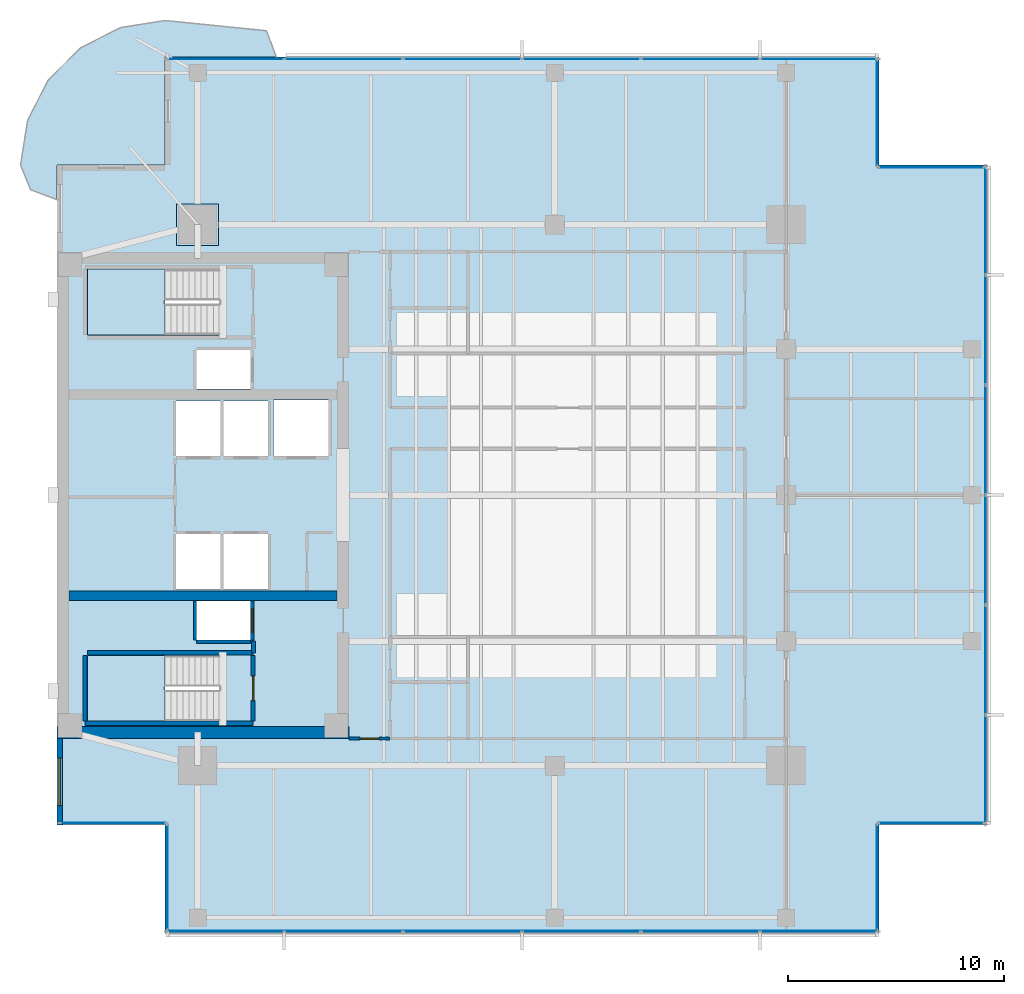
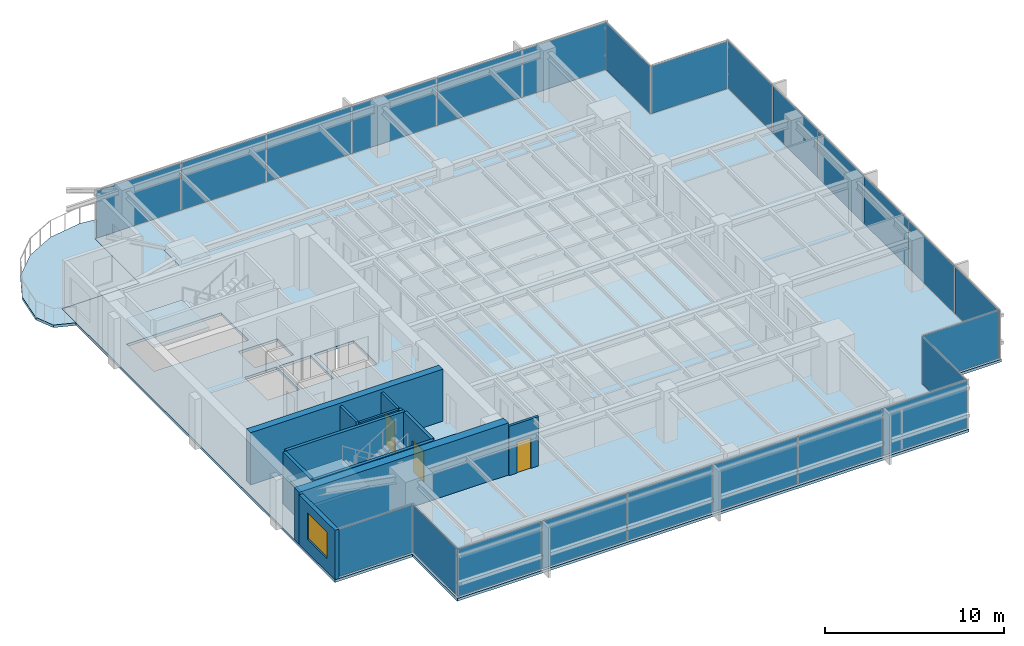
# One storey, part 7 of 14: 25 plates, 12 walls, 4 slabs, 3 doors, 1 window, 4 openings, 11 elements without a shape of their own.
"""IFC4 building model written with IfcOpenShell, lengths in metres."""

from ifc_helpers import new_model, si_unit, direction, frame, frame_2d, origin, origin_2d, place, context, subcontext, project, spatial, polyline, rectangle, outline, extrude, material, layer, layer_set, type_object, element, fill, aggregate, save


model = new_model("IFC4")

# Units and contexts
model_context = context("Model", 3, precision=1e-05, world=origin(), true_north=direction((0.0, 1.0)))
body_context = subcontext(model_context, "Body", "Model", "MODEL_VIEW")
ifc_project = project(units=[si_unit("LENGTHUNIT", "METRE"), si_unit("AREAUNIT", "SQUARE_METRE"), si_unit("VOLUMEUNIT", "CUBIC_METRE"), si_unit("PLANEANGLEUNIT", "RADIAN"), si_unit("MASSUNIT", "GRAM", prefix="KILO")], contexts=[model_context])

# Site, building, storey
site_placement = place(None, origin())
site = spatial("IfcSite", under=ifc_project, at=site_placement, CompositionType="ELEMENT")
building_placement = place(site_placement, origin())
building = spatial("IfcBuilding", under=site, at=building_placement, Name="Kinhvarn Gate Tower", CompositionType="ELEMENT")
storey_placement = place(building_placement, frame((0.0, 0.0, 209.35009765625)))
storey = spatial("IfcBuildingStorey", under=building, at=storey_placement, Name="L55", CompositionType="ELEMENT", Elevation=209.35009765625)

# Curtain wall, plates
ifc_material_1 = material(Name="Anodised aluminium AW-6063", Category="aluminium")
ifc_layer_1 = layer(ifc_material_1, 0.179931640625)
ifc_layer_set_1 = layer_set([ifc_layer_1], Name="Anodised aluminium AW-6063")
curtain_wall_type_1 = type_object("IfcCurtainWallType", Name="CW-SYS-3", PredefinedType="NOTDEFINED", material=ifc_layer_set_1)
curtain_wall_1_placement = place(storey_placement, origin())
curtain_wall_1 = element("IfcCurtainWall", 1, at=curtain_wall_1_placement, inside=storey, type_object=curtain_wall_type_1, Name="Curtain Wall CW3 (L55)", PredefinedType="NOTDEFINED")
ifc_material_2 = material(Name="Clear low-e double glazing", Category="glass")
ifc_layer_2 = layer(ifc_material_2, 0.031982421875)
ifc_layer_set_2 = layer_set([ifc_layer_2], Name="Clear low-e double glazing")
plate_type_1 = type_object("IfcPlateType", Name="CW-PNL-VIS", PredefinedType="CURTAIN_PANEL", material=ifc_layer_set_2)
plate_1_placement = place(storey_placement, frame((12.266357421875, 5.090087890625, 0.06982421875), z_axis=(0.0, 0.0, 1.0), x_axis=(1.0, 0.0, 0.0)))
plate_1 = element("IfcPlate", 2, at=plate_1_placement, type_object=plate_type_1, Name="CW3 panel 1.1", PredefinedType="CURTAIN_PANEL", context=body_context, shape_type="SweptSolid", body=[
    extrude(rectangle(XDim=5.402587890625, YDim=0.031982421875, at=origin_2d()), origin(), (0.0, 0.0, 1.0), 3.22998046875),
])
plate_2_placement = place(storey_placement, frame((17.75, 5.090087890625, 0.06982421875), z_axis=(0.0, 0.0, 1.0), x_axis=(1.0, 0.0, 0.0)))
plate_2 = element("IfcPlate", 3, at=plate_2_placement, type_object=plate_type_1, Name="CW3 panel 2.1", PredefinedType="CURTAIN_PANEL", context=body_context, shape_type="SweptSolid", body=[
    extrude(rectangle(XDim=5.43505859375, YDim=0.031982421875, at=origin_2d()), origin(), (0.0, 0.0, 1.0), 3.22998046875),
])
plate_3_placement = place(storey_placement, frame((23.25, 5.090087890625, 0.06982421875), z_axis=(0.0, 0.0, 1.0), x_axis=(1.0, 0.0, 0.0)))
plate_3 = element("IfcPlate", 4, at=plate_3_placement, type_object=plate_type_1, Name="CW3 panel 3.1", PredefinedType="CURTAIN_PANEL", context=body_context, shape_type="SweptSolid", body=[
    extrude(rectangle(XDim=5.43505859375, YDim=0.031982421875, at=origin_2d()), origin(), (0.0, 0.0, 1.0), 3.22998046875),
])
plate_4_placement = place(storey_placement, frame((28.75, 5.090087890625, 0.06982421875), z_axis=(0.0, 0.0, 1.0), x_axis=(1.0, 0.0, 0.0)))
plate_4 = element("IfcPlate", 5, at=plate_4_placement, type_object=plate_type_1, Name="CW3 panel 4.1", PredefinedType="CURTAIN_PANEL", context=body_context, shape_type="SweptSolid", body=[
    extrude(rectangle(XDim=5.43505859375, YDim=0.031982421875, at=origin_2d()), origin(), (0.0, 0.0, 1.0), 3.22998046875),
])
plate_5_placement = place(storey_placement, frame((34.25, 5.090087890625, 0.06982421875), z_axis=(0.0, 0.0, 1.0), x_axis=(1.0, 0.0, 0.0)))
plate_5 = element("IfcPlate", 6, at=plate_5_placement, type_object=plate_type_1, Name="CW3 panel 5.1", PredefinedType="CURTAIN_PANEL", context=body_context, shape_type="SweptSolid", body=[
    extrude(rectangle(XDim=5.43505859375, YDim=0.031982421875, at=origin_2d()), origin(), (0.0, 0.0, 1.0), 3.22998046875),
])
plate_6_placement = place(storey_placement, frame((39.733642578125, 5.090087890625, 0.06982421875), z_axis=(0.0, 0.0, 1.0), x_axis=(1.0, 0.0, 0.0)))
plate_6 = element("IfcPlate", 7, at=plate_6_placement, type_object=plate_type_1, Name="CW3 panel 6.1", PredefinedType="CURTAIN_PANEL", context=body_context, shape_type="SweptSolid", body=[
    extrude(rectangle(XDim=5.402587890625, YDim=0.031982421875, at=origin_2d()), origin(), (0.0, 0.0, 1.0), 3.22998046875),
])
aggregate(curtain_wall_1, [plate_1, plate_2, plate_3, plate_4, plate_5, plate_6])

curtain_wall_2_placement = place(storey_placement, origin())
curtain_wall_2 = element("IfcCurtainWall", 8, at=curtain_wall_2_placement, inside=storey, type_object=curtain_wall_type_1, Name="Curtain Wall CW3 (L55)", PredefinedType="NOTDEFINED")
plate_7_placement = place(storey_placement, frame((39.733642578125, 45.409912109375, 0.06982421875), z_axis=(0.0, 0.0, 1.0), x_axis=(-1.0, 0.0, 0.0)))
plate_7 = element("IfcPlate", 9, at=plate_7_placement, type_object=plate_type_1, Name="CW3 panel 1.1", PredefinedType="CURTAIN_PANEL", context=body_context, shape_type="SweptSolid", body=[
    extrude(rectangle(XDim=5.402587890625, YDim=0.031982421875, at=origin_2d()), origin(), (0.0, 0.0, 1.0), 3.22998046875),
])
plate_8_placement = place(storey_placement, frame((34.25, 45.409912109375, 0.06982421875), z_axis=(0.0, 0.0, 1.0), x_axis=(-1.0, 0.0, 0.0)))
plate_8 = element("IfcPlate", 10, at=plate_8_placement, type_object=plate_type_1, Name="CW3 panel 2.1", PredefinedType="CURTAIN_PANEL", context=body_context, shape_type="SweptSolid", body=[
    extrude(rectangle(XDim=5.43505859375, YDim=0.031982421875, at=origin_2d()), origin(), (0.0, 0.0, 1.0), 3.22998046875),
])
plate_9_placement = place(storey_placement, frame((28.75, 45.409912109375, 0.06982421875), z_axis=(0.0, 0.0, 1.0), x_axis=(-1.0, 0.0, 0.0)))
plate_9 = element("IfcPlate", 11, at=plate_9_placement, type_object=plate_type_1, Name="CW3 panel 3.1", PredefinedType="CURTAIN_PANEL", context=body_context, shape_type="SweptSolid", body=[
    extrude(rectangle(XDim=5.43505859375, YDim=0.031982421875, at=origin_2d()), origin(), (0.0, 0.0, 1.0), 3.22998046875),
])
plate_10_placement = place(storey_placement, frame((23.25, 45.409912109375, 0.06982421875), z_axis=(0.0, 0.0, 1.0), x_axis=(-1.0, 0.0, 0.0)))
plate_10 = element("IfcPlate", 12, at=plate_10_placement, type_object=plate_type_1, Name="CW3 panel 4.1", PredefinedType="CURTAIN_PANEL", context=body_context, shape_type="SweptSolid", body=[
    extrude(rectangle(XDim=5.43505859375, YDim=0.031982421875, at=origin_2d()), origin(), (0.0, 0.0, 1.0), 3.22998046875),
])
plate_11_placement = place(storey_placement, frame((17.75, 45.409912109375, 0.06982421875), z_axis=(0.0, 0.0, 1.0), x_axis=(-1.0, 0.0, 0.0)))
plate_11 = element("IfcPlate", 13, at=plate_11_placement, type_object=plate_type_1, Name="CW3 panel 5.1", PredefinedType="CURTAIN_PANEL", context=body_context, shape_type="SweptSolid", body=[
    extrude(rectangle(XDim=5.43505859375, YDim=0.031982421875, at=origin_2d()), origin(), (0.0, 0.0, 1.0), 3.22998046875),
])
plate_12_placement = place(storey_placement, frame((12.266357421875, 45.409912109375, 0.06982421875), z_axis=(0.0, 0.0, 1.0), x_axis=(-1.0, 0.0, 0.0)))
plate_12 = element("IfcPlate", 14, at=plate_12_placement, type_object=plate_type_1, Name="CW3 panel 6.1", PredefinedType="CURTAIN_PANEL", context=body_context, shape_type="SweptSolid", body=[
    extrude(rectangle(XDim=5.402587890625, YDim=0.031982421875, at=origin_2d()), origin(), (0.0, 0.0, 1.0), 3.22998046875),
])
aggregate(curtain_wall_2, [plate_7, plate_8, plate_9, plate_10, plate_11, plate_12])

curtain_wall_3_placement = place(storey_placement, origin())
curtain_wall_3 = element("IfcCurtainWall", 15, at=curtain_wall_3_placement, inside=storey, type_object=curtain_wall_type_1, Name="Curtain Wall CW3 (L55)", PredefinedType="NOTDEFINED")
plate_13_placement = place(storey_placement, frame((47.409912109375, 12.557861328125, 0.06982421875), z_axis=(0.0, 0.0, 1.0), x_axis=(0.0, 1.0, 0.0)))
plate_13 = element("IfcPlate", 16, at=plate_13_placement, type_object=plate_type_1, Name="CW3 panel 1.1", PredefinedType="CURTAIN_PANEL", context=body_context, shape_type="SweptSolid", body=[
    extrude(rectangle(XDim=4.98583984375, YDim=0.031982421875, at=origin_2d()), origin(), (0.0, 0.0, 1.0), 3.22998046875),
])
plate_14_placement = place(storey_placement, frame((47.409912109375, 17.625, 0.06982421875), z_axis=(0.0, 0.0, 1.0), x_axis=(0.0, 1.0, 0.0)))
plate_14 = element("IfcPlate", 17, at=plate_14_placement, type_object=plate_type_1, Name="CW3 panel 2.1", PredefinedType="CURTAIN_PANEL", context=body_context, shape_type="SweptSolid", body=[
    extrude(rectangle(XDim=5.018310546875, YDim=0.031982421875, at=origin_2d()), origin(), (0.0, 0.0, 1.0), 3.22998046875),
])
plate_15_placement = place(storey_placement, frame((47.409912109375, 22.708251953125, 0.06982421875), z_axis=(0.0, 0.0, 1.0), x_axis=(0.0, 1.0, 0.0)))
plate_15 = element("IfcPlate", 18, at=plate_15_placement, type_object=plate_type_1, Name="CW3 panel 3.1", PredefinedType="CURTAIN_PANEL", context=body_context, shape_type="SweptSolid", body=[
    extrude(rectangle(XDim=5.018310546875, YDim=0.031982421875, at=origin_2d()), origin(), (0.0, 0.0, 1.0), 3.22998046875),
])
plate_16_placement = place(storey_placement, frame((47.409912109375, 27.791748046875, 0.06982421875), z_axis=(0.0, 0.0, 1.0), x_axis=(0.0, 1.0, 0.0)))
plate_16 = element("IfcPlate", 19, at=plate_16_placement, type_object=plate_type_1, Name="CW3 panel 4.1", PredefinedType="CURTAIN_PANEL", context=body_context, shape_type="SweptSolid", body=[
    extrude(rectangle(XDim=5.018310546875, YDim=0.031982421875, at=origin_2d()), origin(), (0.0, 0.0, 1.0), 3.22998046875),
])
plate_17_placement = place(storey_placement, frame((47.409912109375, 32.875, 0.06982421875), z_axis=(0.0, 0.0, 1.0), x_axis=(0.0, 1.0, 0.0)))
plate_17 = element("IfcPlate", 20, at=plate_17_placement, type_object=plate_type_1, Name="CW3 panel 5.1", PredefinedType="CURTAIN_PANEL", context=body_context, shape_type="SweptSolid", body=[
    extrude(rectangle(XDim=5.018310546875, YDim=0.031982421875, at=origin_2d()), origin(), (0.0, 0.0, 1.0), 3.22998046875),
])
plate_18_placement = place(storey_placement, frame((47.409912109375, 37.942138671875, 0.06982421875), z_axis=(0.0, 0.0, 1.0), x_axis=(0.0, 1.0, 0.0)))
plate_18 = element("IfcPlate", 21, at=plate_18_placement, type_object=plate_type_1, Name="CW3 panel 6.1", PredefinedType="CURTAIN_PANEL", context=body_context, shape_type="SweptSolid", body=[
    extrude(rectangle(XDim=4.98583984375, YDim=0.031982421875, at=origin_2d()), origin(), (0.0, 0.0, 1.0), 3.22998046875),
])
aggregate(curtain_wall_3, [plate_13, plate_14, plate_15, plate_16, plate_17, plate_18])

# Curtain wall, plate
ifc_layer_3 = layer(ifc_material_1, 0.179931640625)
ifc_layer_set_3 = layer_set([ifc_layer_3], Name="Anodised aluminium AW-6063")
curtain_wall_type_2 = type_object("IfcCurtainWallType", Name="CW-SYS-4", PredefinedType="NOTDEFINED", material=ifc_layer_set_3)
curtain_wall_4_placement = place(storey_placement, origin())
curtain_wall_4 = element("IfcCurtainWall", 22, at=curtain_wall_4_placement, inside=storey, type_object=curtain_wall_type_2, Name="Curtain Wall CW4 (L55)", PredefinedType="NOTDEFINED")
plate_19_placement = place(storey_placement, frame((7.090087890625, 10.090087890625, 0.06494140625), z_axis=(0.0, 0.0, 1.0), x_axis=(1.0, 0.0, 0.0)))
plate_19 = element("IfcPlate", 23, at=plate_19_placement, type_object=plate_type_1, Name="CW4 panel 1.1", PredefinedType="CURTAIN_PANEL", context=body_context, shape_type="SweptSolid", body=[
    extrude(rectangle(XDim=4.8701171875, YDim=0.031982421875, at=origin_2d()), origin(), (0.0, 0.0, 1.0), 3.239990234375),
])
aggregate(curtain_wall_4, [plate_19])

curtain_wall_5_placement = place(storey_placement, origin())
curtain_wall_5 = element("IfcCurtainWall", 24, at=curtain_wall_5_placement, inside=storey, type_object=curtain_wall_type_2, Name="Curtain Wall CW4 (L55)", PredefinedType="NOTDEFINED")
plate_20_placement = place(storey_placement, frame((9.590087890625, 7.590087890625, 0.06494140625), z_axis=(0.0, 0.0, 1.0), x_axis=(0.0, -1.0, 0.0)))
plate_20 = element("IfcPlate", 25, at=plate_20_placement, type_object=plate_type_1, Name="CW4 panel 1.1", PredefinedType="CURTAIN_PANEL", context=body_context, shape_type="SweptSolid", body=[
    extrude(rectangle(XDim=4.8701171875, YDim=0.031982421875, at=origin_2d()), origin(), (0.0, 0.0, 1.0), 3.239990234375),
])
aggregate(curtain_wall_5, [plate_20])

curtain_wall_6_placement = place(storey_placement, origin())
curtain_wall_6 = element("IfcCurtainWall", 26, at=curtain_wall_6_placement, inside=storey, type_object=curtain_wall_type_2, Name="Curtain Wall CW4 (L55)", PredefinedType="NOTDEFINED")
plate_21_placement = place(storey_placement, frame((42.409912109375, 7.590087890625, 0.06494140625), z_axis=(0.0, 0.0, 1.0), x_axis=(0.0, 1.0, 0.0)))
plate_21 = element("IfcPlate", 27, at=plate_21_placement, type_object=plate_type_1, Name="CW4 panel 1.1", PredefinedType="CURTAIN_PANEL", context=body_context, shape_type="SweptSolid", body=[
    extrude(rectangle(XDim=4.8701171875, YDim=0.031982421875, at=origin_2d()), origin(), (0.0, 0.0, 1.0), 3.239990234375),
])
aggregate(curtain_wall_6, [plate_21])

curtain_wall_7_placement = place(storey_placement, origin())
curtain_wall_7 = element("IfcCurtainWall", 28, at=curtain_wall_7_placement, inside=storey, type_object=curtain_wall_type_2, Name="Curtain Wall CW4 (L55)", PredefinedType="NOTDEFINED")
plate_22_placement = place(storey_placement, frame((44.909912109375, 10.090087890625, 0.06494140625), z_axis=(0.0, 0.0, 1.0), x_axis=(1.0, 0.0, 0.0)))
plate_22 = element("IfcPlate", 29, at=plate_22_placement, type_object=plate_type_1, Name="CW4 panel 1.1", PredefinedType="CURTAIN_PANEL", context=body_context, shape_type="SweptSolid", body=[
    extrude(rectangle(XDim=4.8701171875, YDim=0.031982421875, at=origin_2d()), origin(), (0.0, 0.0, 1.0), 3.239990234375),
])
aggregate(curtain_wall_7, [plate_22])

curtain_wall_8_placement = place(storey_placement, origin())
curtain_wall_8 = element("IfcCurtainWall", 30, at=curtain_wall_8_placement, inside=storey, type_object=curtain_wall_type_2, Name="Curtain Wall CW4 (L55)", PredefinedType="NOTDEFINED")
plate_23_placement = place(storey_placement, frame((44.909912109375, 40.409912109375, 0.06494140625), z_axis=(0.0, 0.0, 1.0), x_axis=(-1.0, 0.0, 0.0)))
plate_23 = element("IfcPlate", 31, at=plate_23_placement, type_object=plate_type_1, Name="CW4 panel 1.1", PredefinedType="CURTAIN_PANEL", context=body_context, shape_type="SweptSolid", body=[
    extrude(rectangle(XDim=4.8701171875, YDim=0.031982421875, at=origin_2d()), origin(), (0.0, 0.0, 1.0), 3.239990234375),
])
aggregate(curtain_wall_8, [plate_23])

curtain_wall_9_placement = place(storey_placement, origin())
curtain_wall_9 = element("IfcCurtainWall", 32, at=curtain_wall_9_placement, inside=storey, type_object=curtain_wall_type_2, Name="Curtain Wall CW4 (L55)", PredefinedType="NOTDEFINED")
plate_24_placement = place(storey_placement, frame((42.409912109375, 42.909912109375, 0.06494140625), z_axis=(0.0, 0.0, 1.0), x_axis=(0.0, 1.0, 0.0)))
plate_24 = element("IfcPlate", 33, at=plate_24_placement, type_object=plate_type_1, Name="CW4 panel 1.1", PredefinedType="CURTAIN_PANEL", context=body_context, shape_type="SweptSolid", body=[
    extrude(rectangle(XDim=4.8701171875, YDim=0.031982421875, at=origin_2d()), origin(), (0.0, 0.0, 1.0), 3.239990234375),
])
aggregate(curtain_wall_9, [plate_24])

# Plate
ifc_material_3 = material(Name="Steel S355", Category="steel")
ifc_layer_4 = layer(ifc_material_3, 0.031982421875)
ifc_layer_set_4 = layer_set([ifc_layer_4], Name="Steel S355")
plate_type_2 = type_object("IfcPlateType", Name="PLT-NODE-KN3", PredefinedType="USERDEFINED", material=ifc_layer_set_4)
plate_25_placement = place(storey_placement, frame((0.0, 0.0, 3.10400390625)))
element("IfcPlate", 34, at=plate_25_placement, inside=storey, type_object=plate_type_2, Name="Structural Node Cap Plate KN3", ObjectType="GUSSET_PLATE", PredefinedType="USERDEFINED", context=body_context, shape_type="SweptSolid", body=[
    extrude(outline(polyline([(10.030029296875, 36.780029296875), (11.969970703125, 36.780029296875), (11.969970703125, 38.719970703125), (10.030029296875, 38.719970703125), (10.030029296875, 36.780029296875)])), origin(), (0.0, 0.0, 1.0), 0.031982421875),
])

# Slabs
ifc_material_4 = material(Name="Precast white architectural concrete C40/50", Category="concrete")
ifc_layer_5 = layer(ifc_material_4, 0.179931640625)
ifc_layer_set_5 = layer_set([ifc_layer_5], Name="Precast white architectural concrete C40/50")
slab_type_1 = type_object("IfcSlabType", Name="SLB-BAL-180", PredefinedType="FLOOR", material=ifc_layer_set_5)
slab_1_placement = place(storey_placement, frame((0.0, 0.0, -0.18017578125)))
element("IfcSlab", 35, at=slab_1_placement, inside=storey, type_object=slab_type_1, Name="S-Carve Curved Terrace Balcony Slab L55 (NW)", PredefinedType="FLOOR", context=body_context, shape_type="SweptSolid", body=[
    extrude(outline(polyline([(14.631103515625, 45.5), (14.180908203125, 46.716796875), (9.5, 47.18994140625), (7.4326171875, 46.862548828125), (5.567626953125, 45.912353515625), (4.087646484375, 44.432373046875), (3.137451171875, 42.5673828125), (2.81005859375, 40.5), (3.283203125, 39.363037109375), (4.5, 38.9130859375), (4.5, 40.5), (9.5, 40.5), (9.5, 45.5), (14.631103515625, 45.5)])), origin(), (0.0, 0.0, 1.0), 0.18017578125),
])
ifc_material_5 = material(Name="Concrete C40/50", Category="concrete")
ifc_layer_6 = layer(ifc_material_5, 0.179931640625)
ifc_layer_set_6 = layer_set([ifc_layer_6], Name="Concrete C40/50")
slab_type_2 = type_object("IfcSlabType", Name="SLB-FLR-180", PredefinedType="FLOOR", material=ifc_layer_set_6)
slab_2_placement = place(storey_placement, frame((0.0, 0.0, -0.18017578125)))
element("IfcSlab", 36, at=slab_2_placement, inside=storey, type_object=slab_type_2, Name="Suspended Floor Slab L55", PredefinedType="FLOOR", context=body_context, shape_type="SweptSolid", body=[
    extrude(outline(polyline([(9.5, 5.0), (42.5, 5.0), (42.5, 10.0), (47.5, 10.0), (47.5, 40.5), (42.5, 40.5), (42.5, 45.5), (9.5, 45.5), (9.5, 40.5), (4.5, 40.5), (4.5, 10.0), (9.5, 10.0), (9.5, 5.0)]), holes=[polyline([(5.89990234375, 14.800048828125), (12.0, 14.800048828125), (12.0, 17.85009765625), (5.89990234375, 17.85009765625), (5.89990234375, 14.800048828125)]), polyline([(5.89990234375, 32.64990234375), (12.0, 32.64990234375), (12.0, 35.699951171875), (5.89990234375, 35.699951171875), (5.89990234375, 32.64990234375)]), polyline([(10.0, 20.89990234375), (12.050048828125, 20.89990234375), (12.050048828125, 23.449951171875), (10.0, 23.449951171875), (10.0, 20.89990234375)]), polyline([(12.199951171875, 20.89990234375), (14.25, 20.89990234375), (14.25, 23.449951171875), (12.199951171875, 23.449951171875), (12.199951171875, 20.89990234375)]), polyline([(10.0, 27.050048828125), (12.050048828125, 27.050048828125), (12.050048828125, 29.60009765625), (10.0, 29.60009765625), (10.0, 27.050048828125)]), polyline([(12.199951171875, 27.050048828125), (14.25, 27.050048828125), (14.25, 29.60009765625), (12.199951171875, 29.60009765625), (12.199951171875, 27.050048828125)]), polyline([(14.5, 27.050048828125), (17.050048828125, 27.050048828125), (17.050048828125, 29.64990234375), (14.5, 29.64990234375), (14.5, 27.050048828125)]), polyline([(10.949951171875, 18.550048828125), (13.449951171875, 18.550048828125), (13.449951171875, 20.35009765625), (10.949951171875, 20.35009765625), (10.949951171875, 18.550048828125)]), polyline([(10.949951171875, 30.14990234375), (13.449951171875, 30.14990234375), (13.449951171875, 31.949951171875), (10.949951171875, 31.949951171875), (10.949951171875, 30.14990234375)])]), origin(), (0.0, 0.0, 1.0), 0.18017578125),
])

# Stair, slab
stair_type = type_object("IfcStairType", Name="STR-DLG-178", PredefinedType="HALF_TURN_STAIR", material=ifc_material_5)
stair_1_placement = place(storey_placement, origin())
stair_1 = element("IfcStair", 37, at=stair_1_placement, inside=storey, type_object=stair_type, Name="L55 Core Smokeproof Exit Stair ST1", PredefinedType="HALF_TURN_STAIR")
ifc_layer_7 = layer(ifc_material_5, 0.199951171875)
ifc_layer_set_7 = layer_set([ifc_layer_7], Name="Concrete C40/50")
slab_type_3 = type_object("IfcSlabType", Name="SLB-ST-LND", PredefinedType="LANDING", material=ifc_layer_set_7)
slab_3_placement = place(storey_placement, frame((0.0, 0.0, 1.574951171875)))
slab_3 = element("IfcSlab", 38, at=slab_3_placement, type_object=slab_type_3, Name="ST1 landing 1", PredefinedType="LANDING", context=body_context, shape_type="SweptSolid", body=[
    extrude(outline(polyline([(9.47998046875, 17.85009765625), (5.89990234375, 17.85009765625), (5.89990234375, 14.800048828125), (9.47998046875, 14.800048828125), (9.47998046875, 17.85009765625)])), origin(), (0.0, 0.0, 1.0), 0.199951171875),
])
aggregate(stair_1, [slab_3])

stair_2_placement = place(storey_placement, origin())
stair_2 = element("IfcStair", 39, at=stair_2_placement, inside=storey, type_object=stair_type, Name="L55 Core Smokeproof Exit Stair ST2", PredefinedType="HALF_TURN_STAIR")
slab_4_placement = place(storey_placement, frame((0.0, 0.0, 1.574951171875)))
slab_4 = element("IfcSlab", 40, at=slab_4_placement, type_object=slab_type_3, Name="ST2 landing 1", PredefinedType="LANDING", context=body_context, shape_type="SweptSolid", body=[
    extrude(outline(polyline([(9.47998046875, 35.699951171875), (5.89990234375, 35.699951171875), (5.89990234375, 32.64990234375), (9.47998046875, 32.64990234375), (9.47998046875, 35.699951171875)])), origin(), (0.0, 0.0, 1.0), 0.199951171875),
])
aggregate(stair_2, [slab_4])

# Walls
ifc_material_6 = material(Name="Concrete C50/60", Category="concrete")
ifc_layer_8 = layer(ifc_material_6, 0.449951171875)
ifc_layer_set_8 = layer_set([ifc_layer_8], Name="Concrete C50/60")
wall_type_1 = type_object("IfcWallType", Name="WL-CORE-450", PredefinedType="SHEAR", material=ifc_layer_set_8)
wall_1_placement = place(storey_placement, frame((5.050048828125, 20.60009765625, 0.0), z_axis=(0.0, 0.0, 1.0), x_axis=(1.0, 0.0, 0.0)))
element("IfcWall", 41, at=wall_1_placement, inside=storey, type_object=wall_type_1, Name="Core South Spine Shear Wall L55 450 mm", PredefinedType="SHEAR", context=body_context, shape_type="SweptSolid", body=[
    extrude(rectangle(XDim=12.39990234375, YDim=0.449951171875, at=frame_2d((6.199951171875, 0.0))), origin(), (0.0, 0.0, 1.0), 3.5498046875),
])
ifc_material_7 = material(Name="Concrete C60/75", Category="concrete")
ifc_layer_9 = layer(ifc_material_7, 0.550048828125)
ifc_layer_set_9 = layer_set([ifc_layer_9], Name="Concrete C60/75")
wall_type_2 = type_object("IfcWallType", Name="WL-CORE-550", PredefinedType="SHEAR", material=ifc_layer_set_9)
wall_2_placement = place(storey_placement, frame((4.5, 14.27490234375, 0.0), z_axis=(0.0, 0.0, 1.0), x_axis=(1.0, 0.0, 0.0)))
element("IfcWall", 42, at=wall_2_placement, inside=storey, type_object=wall_type_2, Name="Core South Shear Wall L55 550 mm", PredefinedType="SHEAR", context=body_context, shape_type="SweptSolid", body=[
    extrude(rectangle(XDim=13.5, YDim=0.550048828125, at=frame_2d((6.75, 0.0))), origin(), (0.0, 0.0, 1.0), 3.5498046875),
])

# Wall, opening, window
ifc_material_8 = material(Name="Fired architectural terracotta", Category="masonry")
ifc_layer_10 = layer(ifc_material_8, 0.25)
ifc_layer_set_10 = layer_set([ifc_layer_10], Name="Fired architectural terracotta")
wall_type_3 = type_object("IfcWallType", Name="WL-EXT-250", PredefinedType="SOLIDWALL", material=ifc_layer_set_10)
wall_3_placement = place(storey_placement, frame((4.625, 14.0, 0.0), z_axis=(0.0, 0.0, 1.0), x_axis=(0.0, -1.0, 0.0)))
wall_3 = element("IfcWall", 43, at=wall_3_placement, inside=storey, type_object=wall_type_3, Name="Exterior Solidwall Wall EW-250 (L55 West-South)", PredefinedType="SOLIDWALL", context=body_context, shape_type="SweptSolid", body=[
    extrude(rectangle(XDim=4.0, YDim=0.25, at=frame_2d((2.0, 0.0))), origin(), (0.0, 0.0, 1.0), 3.369873046875),
])
opening_1_placement = place(wall_3_placement, frame((0.89990234375, 0.0, 0.89990234375)))
opening_1 = element("IfcOpeningElement", 44, at=opening_1_placement, cuts=wall_3, Name="Opening WN-01", PredefinedType="OPENING", context=body_context, shape_type="SweptSolid", body=[
    extrude(rectangle(XDim=2.199951171875, YDim=1.800048828125, at=frame_2d((1.10009765625, 0.89990234375))), frame((0.0, 0.135009765625, 0.0), z_axis=(0.0, -1.0, 0.0), x_axis=(1.0, 0.0, 0.0)), (0.0, 0.0, 1.0), 0.27001953125),
])
window_type = type_object("IfcWindowType", Name="WIN-RIB-2200", PartitioningType="SINGLE_PANEL", PredefinedType="WINDOW", material=ifc_material_2)
window_placement = place(opening_1_placement, origin())
window = element("IfcWindow", 45, at=window_placement, inside=storey, type_object=window_type, Name="West Flank Double-Glazed Ribbon Window 2200x1800 mm (L55)", OverallHeight=1.800048828125, OverallWidth=2.199951171875, PartitioningType="SINGLE_PANEL", PredefinedType="WINDOW", context=body_context, shape_type="SweptSolid", body=[
    extrude(rectangle(XDim=2.199951171875, YDim=1.800048828125, at=frame_2d((1.10009765625, 0.89990234375))), frame((0.0, 0.030029296875, 0.0), z_axis=(0.0, -1.0, 0.0), x_axis=(1.0, 0.0, 0.0)), (0.0, 0.0, 1.0), 0.06005859375),
])
fill(opening_1, window)

# Wall, opening, door
ifc_material_9 = material(Name="Gypsum acoustic partition board")
ifc_layer_11 = layer(ifc_material_9, 0.14990234375)
ifc_layer_set_11 = layer_set([ifc_layer_11], Name="Gypsum acoustic partition board")
wall_type_4 = type_object("IfcWallType", Name="WL-PRT-150F", PredefinedType="PARTITIONING", material=ifc_layer_set_11)
wall_4_placement = place(storey_placement, frame((18.0, 14.0, 0.0), z_axis=(0.0, 0.0, 1.0), x_axis=(1.0, 0.0, 0.0)))
wall_4 = element("IfcWall", 46, at=wall_4_placement, inside=storey, type_object=wall_type_4, Name="Interior Partition PW-150F (L55)", PredefinedType="PARTITIONING", context=body_context, shape_type="SweptSolid", body=[
    extrude(rectangle(XDim=1.89990234375, YDim=0.14990234375, at=frame_2d((0.949951171875, 0.0))), origin(), (0.0, 0.0, 1.0), 3.369873046875),
])
opening_2_placement = place(wall_4_placement, frame((0.5, 0.0, 0.0)))
opening_2 = element("IfcOpeningElement", 47, at=opening_2_placement, cuts=wall_4, Name="Opening ID-03", PredefinedType="OPENING", context=body_context, shape_type="SweptSolid", body=[
    extrude(rectangle(XDim=0.89990234375, YDim=2.10009765625, at=frame_2d((0.449951171875, 1.050048828125))), frame((0.0, 0.0849609375, 0.0), z_axis=(0.0, -1.0, 0.0), x_axis=(1.0, 0.0, 0.0)), (0.0, 0.0, 1.0), 0.169921875),
])
door_type_1 = type_object("IfcDoorType", Name="DR-INT-900", OperationType="NOTDEFINED", PredefinedType="DOOR", material=ifc_material_1)
door_1_placement = place(opening_2_placement, origin())
door_1 = element("IfcDoor", 48, at=door_1_placement, inside=storey, type_object=door_type_1, Name="Cellular Office & Restroom Door 900x2100 mm (L55)", OperationType="SINGLE_SWING_RIGHT", OverallHeight=2.10009765625, OverallWidth=0.89990234375, PredefinedType="DOOR", context=body_context, shape_type="SweptSolid", body=[
    extrude(rectangle(XDim=0.89990234375, YDim=2.10009765625, at=frame_2d((0.449951171875, 1.050048828125))), frame((0.0, 0.02490234375, 0.0), z_axis=(0.0, -1.0, 0.0), x_axis=(1.0, 0.0, 0.0)), (0.0, 0.0, 1.0), 0.050048828125),
])
fill(opening_2, door_1)

# Walls
ifc_layer_12 = layer(ifc_material_9, 0.199951171875)
ifc_layer_set_12 = layer_set([ifc_layer_12], Name="Gypsum acoustic partition board")
wall_type_5 = type_object("IfcWallType", Name="WL-PRT-200", PredefinedType="PARTITIONING", material=ifc_layer_set_12)
wall_5_placement = place(storey_placement, frame((13.580078125, 17.9599609375, 0.0), z_axis=(0.0, 0.0, 1.0), x_axis=(0.0, 1.0, 0.0)))
element("IfcWall", 49, at=wall_5_placement, inside=storey, type_object=wall_type_5, Name="Interior Partition PW-200 (L55)", PredefinedType="PARTITIONING", context=body_context, shape_type="SweptSolid", body=[
    extrude(rectangle(XDim=0.5400390625, YDim=0.199951171875, at=frame_2d((0.27001953125, 0.0))), origin(), (0.0, 0.0, 1.0), 3.369873046875),
])
ifc_layer_13 = layer(ifc_material_9, 0.14990234375)
ifc_layer_set_13 = layer_set([ifc_layer_13], Name="Gypsum acoustic partition board")
wall_type_6 = type_object("IfcWallType", Name="WL-SHF-150", PredefinedType="PARTITIONING", material=ifc_layer_set_13)
wall_6_placement = place(storey_placement, frame((10.949951171875, 18.47509765625, 0.0), z_axis=(0.0, 0.0, 1.0), x_axis=(1.0, 0.0, 0.0)))
element("IfcWall", 50, at=wall_6_placement, inside=storey, type_object=wall_type_6, Name="Elevator FF1 Hoistway Wall S (L55)", PredefinedType="PARTITIONING", context=body_context, shape_type="SweptSolid", body=[
    extrude(rectangle(XDim=2.5, YDim=0.14990234375, at=frame_2d((1.25, 0.0))), origin(), (0.0, 0.0, 1.0), 3.369873046875),
])
wall_7_placement = place(storey_placement, frame((10.875, 18.550048828125, 0.0), z_axis=(0.0, 0.0, 1.0), x_axis=(0.0, 1.0, 0.0)))
element("IfcWall", 51, at=wall_7_placement, inside=storey, type_object=wall_type_6, Name="Elevator FF1 Hoistway Wall W (L55)", PredefinedType="PARTITIONING", context=body_context, shape_type="SweptSolid", body=[
    extrude(rectangle(XDim=1.800048828125, YDim=0.14990234375, at=frame_2d((0.89990234375, 0.0))), origin(), (0.0, 0.0, 1.0), 3.369873046875),
])

# Wall, opening, door
wall_8_placement = place(storey_placement, frame((13.52490234375, 18.550048828125, 0.0), z_axis=(0.0, 0.0, 1.0), x_axis=(0.0, 1.0, 0.0)))
wall_8 = element("IfcWall", 52, at=wall_8_placement, inside=storey, type_object=wall_type_6, Name="Elevator FF1 Landing Wall (L55)", PredefinedType="PARTITIONING", context=body_context, shape_type="SweptSolid", body=[
    extrude(rectangle(XDim=1.800048828125, YDim=0.14990234375, at=frame_2d((0.89990234375, 0.0))), origin(), (0.0, 0.0, 1.0), 3.369873046875),
])
opening_3_placement = place(wall_8_placement, frame((0.35009765625, 0.0, 0.0)))
opening_3 = element("IfcOpeningElement", 53, at=opening_3_placement, cuts=wall_8, Name="Opening LD-03", PredefinedType="OPENING", context=body_context, shape_type="SweptSolid", body=[
    extrude(rectangle(XDim=1.10009765625, YDim=2.199951171875, at=frame_2d((0.550048828125, 1.10009765625))), frame((0.0, 0.0849609375, 0.0), z_axis=(0.0, -1.0, 0.0), x_axis=(1.0, 0.0, 0.0)), (0.0, 0.0, 1.0), 0.169921875),
])
door_type_2 = type_object("IfcDoorType", Name="DR-LND-FF", OperationType="NOTDEFINED", PredefinedType="DOOR", material=ifc_material_1)
door_2_placement = place(opening_3_placement, origin())
door_2 = element("IfcDoor", 54, at=door_2_placement, inside=storey, type_object=door_type_2, Name="Elevator FF1 Sliding Landing Door (L55)", OperationType="DOUBLE_DOOR_SLIDING", OverallHeight=2.199951171875, OverallWidth=1.10009765625, PredefinedType="DOOR", context=body_context, shape_type="SweptSolid", body=[
    extrude(rectangle(XDim=1.10009765625, YDim=2.199951171875, at=frame_2d((0.550048828125, 1.10009765625))), frame((0.0, 0.02490234375, 0.0), z_axis=(0.0, -1.0, 0.0), x_axis=(1.0, 0.0, 0.0)), (0.0, 0.0, 1.0), 0.050048828125),
])
fill(opening_3, door_2)

# Walls
ifc_layer_14 = layer(ifc_material_5, 0.199951171875)
ifc_layer_set_14 = layer_set([ifc_layer_14], Name="Concrete C40/50")
wall_type_7 = type_object("IfcWallType", Name="WL-SHF-200", PredefinedType="SOLIDWALL", material=ifc_layer_set_14)
wall_9_placement = place(storey_placement, frame((5.800048828125, 14.699951171875, 0.0), z_axis=(0.0, 0.0, 1.0), x_axis=(1.0, 0.0, 0.0)))
element("IfcWall", 55, at=wall_9_placement, inside=storey, type_object=wall_type_7, Name="Stair ST1 South Shaft Wall (L55)", PredefinedType="SOLIDWALL", context=body_context, shape_type="SweptSolid", body=[
    extrude(rectangle(XDim=7.75, YDim=0.199951171875, at=frame_2d((3.875, 0.0))), origin(), (0.0, 0.0, 1.0), 3.5498046875),
])
wall_10_placement = place(storey_placement, frame((5.7900390625, 14.800048828125, 0.0), z_axis=(0.0, 0.0, 1.0), x_axis=(0.0, 1.0, 0.0)))
element("IfcWall", 56, at=wall_10_placement, inside=storey, type_object=wall_type_7, Name="Stair ST1 West Shaft Wall (L55)", PredefinedType="SOLIDWALL", context=body_context, shape_type="SweptSolid", body=[
    extrude(rectangle(XDim=3.050048828125, YDim=0.199951171875, at=frame_2d((1.52490234375, 0.0))), origin(), (0.0, 0.0, 1.0), 3.5498046875),
])
wall_11_placement = place(storey_placement, frame((5.89990234375, 17.9599609375, 0.0), z_axis=(0.0, 0.0, 1.0), x_axis=(1.0, 0.0, 0.0)))
element("IfcWall", 57, at=wall_11_placement, inside=storey, type_object=wall_type_7, Name="Stair ST1 North Shaft Wall (L55)", PredefinedType="SOLIDWALL", context=body_context, shape_type="SweptSolid", body=[
    extrude(rectangle(XDim=7.66015625, YDim=0.199951171875, at=frame_2d((3.830078125, 0.0))), origin(), (0.0, 0.0, 1.0), 3.5498046875),
])

# Wall, opening, door
wall_12_placement = place(storey_placement, frame((13.56005859375, 14.800048828125, 0.0), z_axis=(0.0, 0.0, 1.0), x_axis=(0.0, 1.0, 0.0)))
wall_12 = element("IfcWall", 58, at=wall_12_placement, inside=storey, type_object=wall_type_7, Name="Stair ST1 East Entry Wall (L55)", PredefinedType="SOLIDWALL", context=body_context, shape_type="SweptSolid", body=[
    extrude(rectangle(XDim=3.050048828125, YDim=0.199951171875, at=frame_2d((1.52490234375, 0.0))), origin(), (0.0, 0.0, 1.0), 3.5498046875),
])
opening_4_placement = place(wall_12_placement, frame((0.949951171875, 0.0, 0.0)))
opening_4 = element("IfcOpeningElement", 59, at=opening_4_placement, cuts=wall_12, Name="Opening FD-01", PredefinedType="OPENING", context=body_context, shape_type="SweptSolid", body=[
    extrude(rectangle(XDim=1.14990234375, YDim=2.14990234375, at=frame_2d((0.574951171875, 1.074951171875))), frame((0.0, 0.10986328125, 0.0), z_axis=(0.0, -1.0, 0.0), x_axis=(1.0, 0.0, 0.0)), (0.0, 0.0, 1.0), 0.219970703125),
])
door_type_3 = type_object("IfcDoorType", Name="DR-ST-1150", OperationType="NOTDEFINED", PredefinedType="DOOR", material=ifc_material_1)
door_3_placement = place(opening_4_placement, origin())
door_3 = element("IfcDoor", 60, at=door_3_placement, inside=storey, type_object=door_type_3, Name="Exit Stair ST1 Fire Door (L55)", OperationType="SINGLE_SWING_LEFT", OverallHeight=2.14990234375, OverallWidth=1.14990234375, PredefinedType="DOOR", context=body_context, shape_type="SweptSolid", body=[
    extrude(rectangle(XDim=1.14990234375, YDim=2.14990234375, at=frame_2d((0.574951171875, 1.074951171875))), frame((0.0, 0.02490234375, 0.0), z_axis=(0.0, -1.0, 0.0), x_axis=(1.0, 0.0, 0.0)), (0.0, 0.0, 1.0), 0.050048828125),
])
fill(opening_4, door_3)

save(model, "model.ifc")
